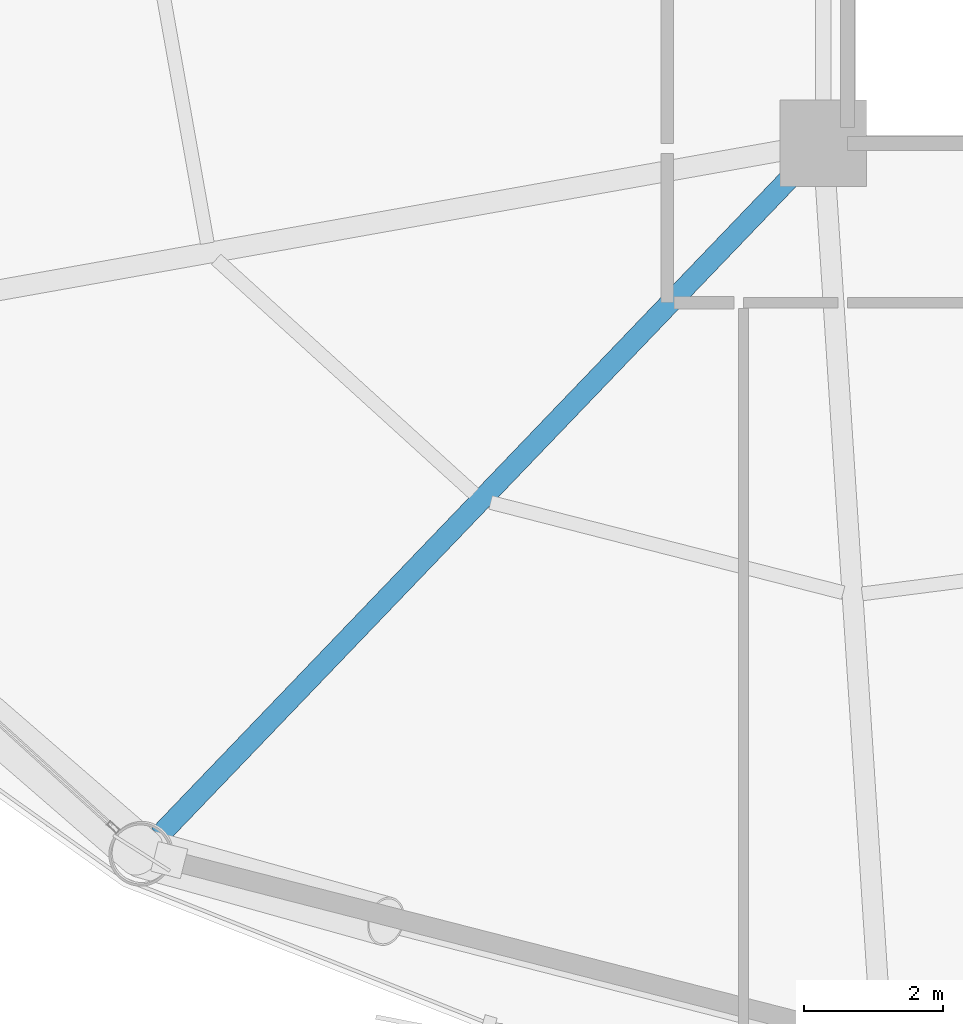
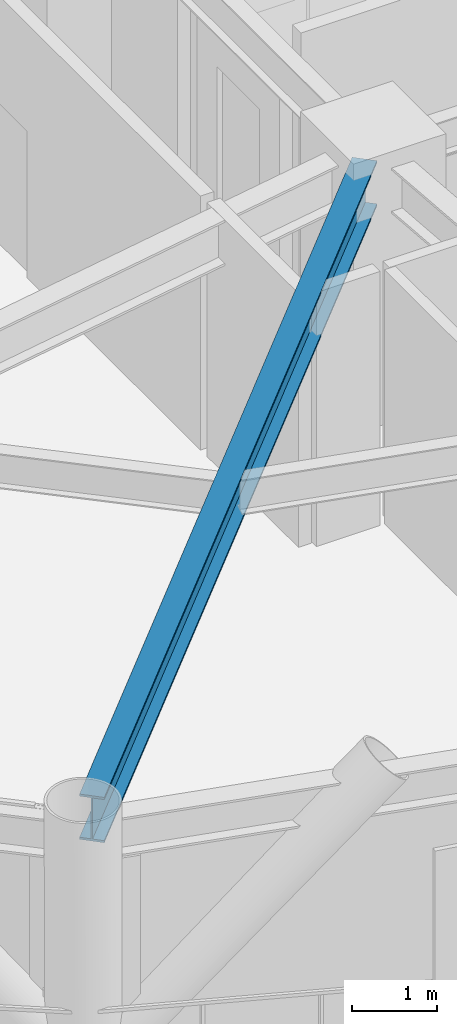
# One storey, part 3 of 25: 1 beam.
"""IFC4 building model written with IfcOpenShell, lengths in metres."""

from ifc_helpers import new_model, si_unit, direction, frame, origin, origin_2d, place, context, subcontext, project, spatial, i_section, extrude, material, material_profile, profile_set, type_object, element, save


model = new_model("IFC4")

# Units and contexts
model_context = context("Model", 3, precision=1e-05, world=origin(), true_north=direction((0.0, 1.0)))
body_context = subcontext(model_context, "Body", "Model", "MODEL_VIEW")
ifc_project = project(units=[si_unit("LENGTHUNIT", "METRE"), si_unit("AREAUNIT", "SQUARE_METRE"), si_unit("VOLUMEUNIT", "CUBIC_METRE"), si_unit("PLANEANGLEUNIT", "RADIAN"), si_unit("MASSUNIT", "GRAM", prefix="KILO")], contexts=[model_context])

# Site, building, storey
site_placement = place(None, origin())
site = spatial("IfcSite", under=ifc_project, at=site_placement, CompositionType="ELEMENT")
building_placement = place(site_placement, origin())
building = spatial("IfcBuilding", under=site, at=building_placement, Name="Varnakorn Sky Granary", CompositionType="ELEMENT")
storey_placement = place(building_placement, frame((0.0, 0.0, 62.699951171875)))
storey = spatial("IfcBuildingStorey", under=building, at=storey_placement, Name="L15", CompositionType="ELEMENT", Elevation=62.699951171875)

# Beam
ifc_material = material(Name="Steel S355JR", Category="steel")
ifc_material_profile = material_profile(ifc_material, i_section(OverallWidth=0.300048828125, OverallDepth=0.64990234375, WebThickness=0.01611328125, FlangeThickness=0.031005859375, at=origin_2d()), Name="HE 650 B")
ifc_profile_set = profile_set([ifc_material_profile], Name="Steel S355JR")
beam_type = type_object("IfcBeamType", Name="BM-RAD-Z1", PredefinedType="BEAM", material=ifc_profile_set)
beam_placement = place(storey_placement, frame((-2.640625, -6.9033203125, 3.31494140625), z_axis=(-0.692128129813, -0.72177465453, 0.0), x_axis=(0.72177465453, -0.692128129813, 0.0)))
element("IfcBeam", 1, at=beam_placement, inside=storey, type_object=beam_type, Name="Radial Floor Girder RG09 L15", PredefinedType="BEAM", context=body_context, shape_type="SweptSolid", body=[
    extrude(i_section(OverallWidth=0.300048828125, OverallDepth=0.64990234375, WebThickness=0.01611328125, FlangeThickness=0.031005859375, at=origin_2d()), origin(), (0.0, 0.0, 1.0), 13.423095703125),
])

save(model, "model.ifc")
